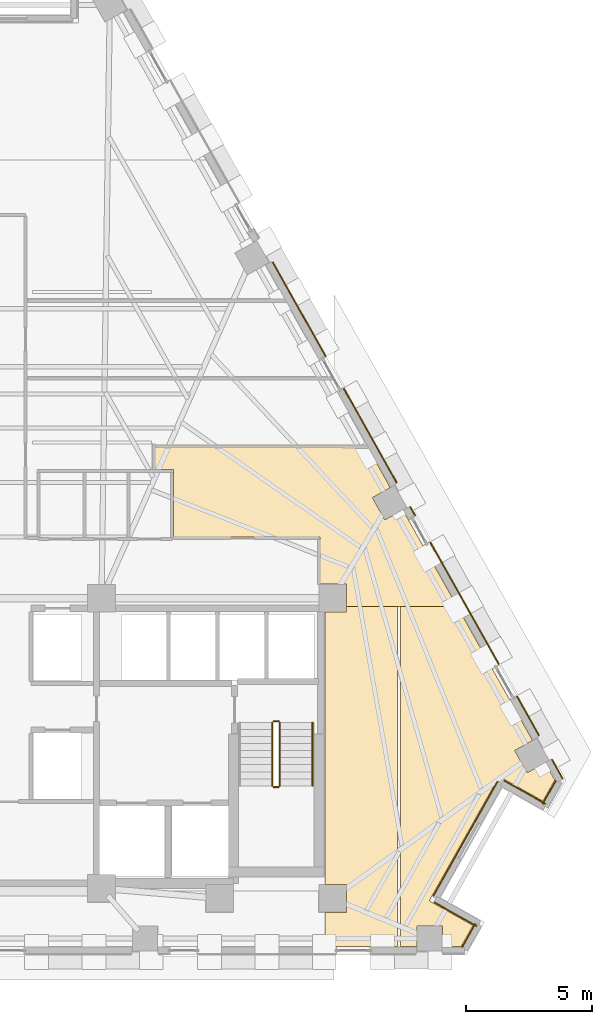
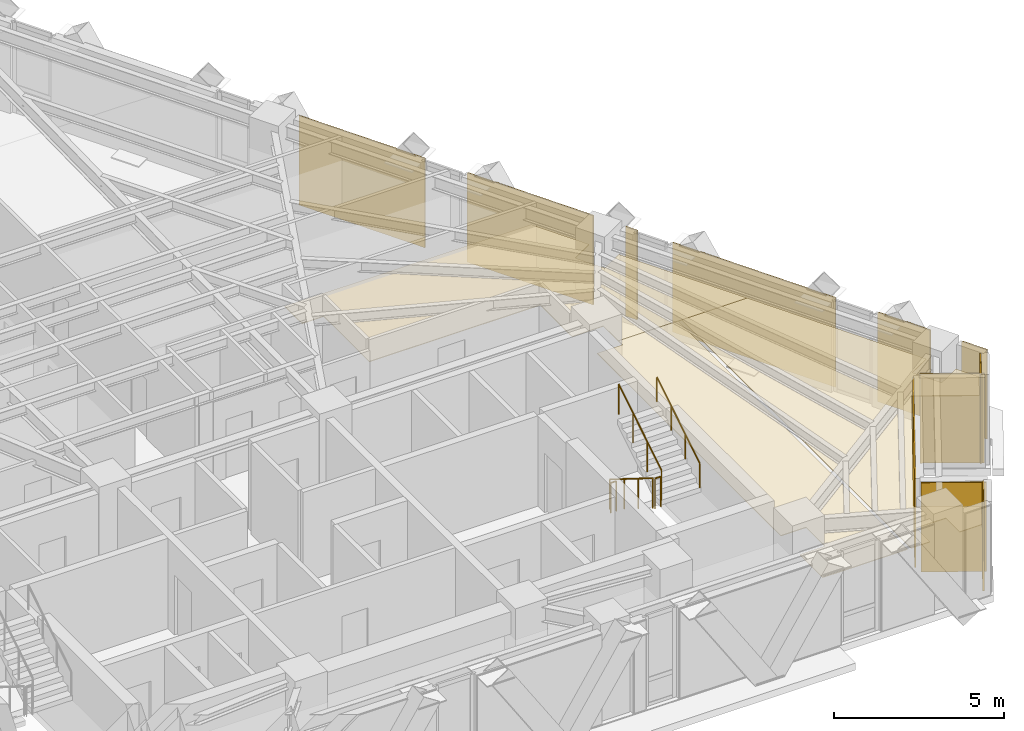
# One storey, part 12 of 13: 14 coverings, 5 railings.
"""IFC4 building model written with IfcOpenShell, lengths in metres."""

from ifc_helpers import new_model, si_unit, direction, frame, origin, origin_2d, place, context, subcontext, project, spatial, polyline, circle, outline, extrude, material, layer, layer_set, type_object, element, save


model = new_model("IFC4")

# Units and contexts
model_context = context("Model", 3, precision=1e-05, world=origin(), true_north=direction((0.0, 1.0)))
body_context = subcontext(model_context, "Body", "Model", "MODEL_VIEW")
ifc_project = project(units=[si_unit("LENGTHUNIT", "METRE"), si_unit("AREAUNIT", "SQUARE_METRE"), si_unit("VOLUMEUNIT", "CUBIC_METRE"), si_unit("PLANEANGLEUNIT", "RADIAN"), si_unit("MASSUNIT", "GRAM", prefix="KILO")], contexts=[model_context])

# Site, building, storey
site_placement = place(None, origin())
site = spatial("IfcSite", under=ifc_project, at=site_placement, CompositionType="ELEMENT")
building_placement = place(site_placement, origin())
building = spatial("IfcBuilding", under=site, at=building_placement, Name="Quenlor Broadcast Tower", CompositionType="ELEMENT")
storey_placement = place(building_placement, frame((0.0, 0.0, 130.0)))
storey = spatial("IfcBuildingStorey", under=building, at=storey_placement, Name="L35", CompositionType="ELEMENT", Elevation=130.0)

# Coverings
ifc_material_1 = material(Name="Acoustic Mineral Fibre Board", Category="other")
ifc_layer_1 = layer(ifc_material_1, 0.02490234375)
ifc_layer_set_1 = layer_set([ifc_layer_1], Name="Acoustic Perforated Mineral Tile Ceiling 25")
covering_type_1 = type_object("IfcCoveringType", Name="Acoustic Perforated Mineral Tile Ceiling 25", PredefinedType="CEILING", material=ifc_layer_set_1)
covering_1_placement = place(storey_placement, frame((0.0, 0.0, 2.375)))
element("IfcCovering", 1, at=covering_1_placement, inside=storey, type_object=covering_type_1, Name="L35 Acoustic Ceiling L35-35", PredefinedType="CEILING", context=body_context, shape_type="SweptSolid", body=[
    extrude(outline(polyline([(13.508056640625, -4.241943359375), (12.43994140625, -4.241943359375), (12.43994140625, -2.3701171875), (6.6201171875, -2.3701171875), (6.6201171875, 0.320068359375), (5.8798828125, 0.320068359375), (5.8798828125, 1.340087890625), (14.268798828125, 1.340087890625), (15.2451171875, -0.39599609375), (14.5322265625, -0.797119140625), (15.0302734375, -1.6826171875), (15.7431640625, -1.281494140625), (17.90234375, -5.1201171875), (15.659912109375, -5.1201171875), (15.5400390625, -5.1201171875), (13.508056640625, -5.1201171875), (13.508056640625, -4.241943359375)])), origin(), (0.0, 0.0, 1.0), 0.02490234375),
])
covering_2_placement = place(storey_placement, frame((0.0, 0.0, 2.375)))
element("IfcCovering", 2, at=covering_2_placement, inside=storey, type_object=covering_type_1, Name="L35 Acoustic Ceiling L35-35-2", PredefinedType="CEILING", context=body_context, shape_type="SweptSolid", body=[
    extrude(outline(polyline([(13.508056640625, -5.1201171875), (15.5400390625, -5.1201171875), (15.5400390625, -18.659912109375), (12.64990234375, -18.659912109375), (12.64990234375, -17.30810546875), (13.508056640625, -17.30810546875), (13.508056640625, -16.19189453125), (12.64990234375, -16.19189453125), (12.64990234375, -5.35791015625), (13.508056640625, -5.35791015625), (13.508056640625, -5.1201171875)])), origin(), (0.0, 0.0, 1.0), 0.02490234375),
])
covering_3_placement = place(storey_placement, frame((0.0, 0.0, 2.375)))
element("IfcCovering", 3, at=covering_3_placement, inside=storey, type_object=covering_type_1, Name="L35 Acoustic Ceiling L35-35-3", PredefinedType="CEILING", context=body_context, shape_type="SweptSolid", body=[
    extrude(outline(polyline([(20.90869140625, -10.46484375), (20.19580078125, -10.86572265625), (20.694091796875, -11.751220703125), (21.406982421875, -11.350341796875), (21.794921875, -12.0400390625), (21.323486328125, -12.878173828125), (19.580322265625, -11.8974609375), (16.795654296875, -16.847900390625), (18.538818359375, -17.82861328125), (18.071044921875, -18.659912109375), (17.31640625, -18.659912109375), (17.31640625, -17.842041015625), (16.30029296875, -17.842041015625), (16.30029296875, -18.659912109375), (15.659912109375, -18.659912109375), (15.659912109375, -5.1201171875), (17.90234375, -5.1201171875), (20.90869140625, -10.46484375)])), origin(), (0.0, 0.0, 1.0), 0.02490234375),
])
ifc_material_2 = material(Name="Architectural Terracotta Ceramic", Category="masonry")
ifc_layer_2 = layer(ifc_material_2, 0.044921875)
ifc_layer_set_2 = layer_set([ifc_layer_2], Name="Fluted Terracotta Rainscreen Cladding Panel")
covering_type_2 = type_object("IfcCoveringType", Name="Fluted Terracotta Rainscreen Cladding Panel", PredefinedType="CLADDING", material=ifc_layer_set_2)
covering_4_placement = place(storey_placement, frame((0.0, 0.0, 0.02001953125)))
element("IfcCovering", 4, at=covering_4_placement, inside=storey, type_object=covering_type_2, Name="L35 Terracotta Rainscreen Cladding L35-SHD-NES1", PredefinedType="CLADDING", context=body_context, shape_type="SweptSolid", body=[
    extrude(outline(polyline([(21.66162109375, -11.23779296875), (22.0859375, -11.992431640625), (22.125244140625, -11.970458984375), (21.70068359375, -11.2158203125), (21.66162109375, -11.23779296875)])), origin(), (0.0, 0.0, 1.0), 3.2099609375),
])
covering_5_placement = place(storey_placement, frame((0.0, 0.0, 0.02001953125)))
element("IfcCovering", 5, at=covering_5_placement, inside=storey, type_object=covering_type_2, Name="L35 Terracotta Rainscreen Cladding L35-NEC-SP1", PredefinedType="CLADDING", context=body_context, shape_type="SweptSolid", body=[
    extrude(outline(polyline([(16.025146484375, -1.1767578125), (16.22119140625, -1.525390625), (16.260498046875, -1.50341796875), (16.064453125, -1.15478515625), (16.025146484375, -1.1767578125)])), origin(), (0.0, 0.0, 1.0), 3.2099609375),
])
covering_6_placement = place(storey_placement, frame((0.0, 0.0, 0.02001953125)))
element("IfcCovering", 6, at=covering_6_placement, inside=storey, type_object=covering_type_2, Name="L35 Terracotta Rainscreen Cladding L35-NEC-SP2", PredefinedType="CLADDING", context=body_context, shape_type="SweptSolid", body=[
    extrude(outline(polyline([(16.81591796875, -2.582763671875), (19.55322265625, -7.44921875), (19.592529296875, -7.42724609375), (16.855224609375, -2.560791015625), (16.81591796875, -2.582763671875)])), origin(), (0.0, 0.0, 1.0), 3.2099609375),
])
covering_7_placement = place(storey_placement, frame((0.0, 0.0, 0.02001953125)))
element("IfcCovering", 7, at=covering_7_placement, inside=storey, type_object=covering_type_2, Name="L35 Terracotta Rainscreen Cladding L35-NEC-SP3", PredefinedType="CLADDING", context=body_context, shape_type="SweptSolid", body=[
    extrude(outline(polyline([(20.26416015625, -8.712646484375), (21.14453125, -10.278076171875), (21.183837890625, -10.256103515625), (20.30322265625, -8.690673828125), (20.26416015625, -8.712646484375)])), origin(), (0.0, 0.0, 1.0), 3.2099609375),
])
covering_8_placement = place(storey_placement, frame((0.0, 0.0, 0.02001953125)))
element("IfcCovering", 8, at=covering_8_placement, inside=storey, type_object=covering_type_2, Name="L35 Terracotta Rainscreen Cladding L35-NE-SP1", PredefinedType="CLADDING", context=body_context, shape_type="SweptSolid", body=[
    extrude(outline(polyline([(10.541748046875, 8.571533203125), (12.656982421875, 4.810791015625), (12.6962890625, 4.832763671875), (10.580810546875, 8.593505859375), (10.541748046875, 8.571533203125)])), origin(), (0.0, 0.0, 1.0), 3.2099609375),
])
covering_9_placement = place(storey_placement, frame((0.0, 0.0, 0.02001953125)))
element("IfcCovering", 9, at=covering_9_placement, inside=storey, type_object=covering_type_2, Name="L35 Terracotta Rainscreen Cladding L35-NE-SP2", PredefinedType="CLADDING", context=body_context, shape_type="SweptSolid", body=[
    extrude(outline(polyline([(13.367919921875, 3.547119140625), (15.4833984375, -0.213623046875), (15.522705078125, -0.191650390625), (13.4072265625, 3.569091796875), (13.367919921875, 3.547119140625)])), origin(), (0.0, 0.0, 1.0), 3.2099609375),
])
covering_10_placement = place(storey_placement, frame((0.0, 0.0, 0.02001953125)))
element("IfcCovering", 10, at=covering_10_placement, inside=storey, type_object=covering_type_2, Name="L35 Terracotta Rainscreen Cladding L35-CNR-01", PredefinedType="CLADDING", context=body_context, shape_type="SweptSolid", body=[
    extrude(outline(polyline([(18.702880859375, -17.8427734375), (17.011962890625, -16.8916015625), (16.989990234375, -16.930908203125), (18.680908203125, -17.882080078125), (18.702880859375, -17.8427734375)])), origin(), (0.0, 0.0, 1.0), 3.2099609375),
])
covering_11_placement = place(storey_placement, frame((0.0, 0.0, 0.02001953125)))
element("IfcCovering", 11, at=covering_11_placement, inside=storey, type_object=covering_type_2, Name="L35 Terracotta Rainscreen Cladding L35-CNR-02", PredefinedType="CLADDING", context=body_context, shape_type="SweptSolid", body=[
    extrude(outline(polyline([(16.9775390625, -16.663330078125), (19.53662109375, -12.11376953125), (19.49755859375, -12.091796875), (16.938232421875, -16.641357421875), (16.9775390625, -16.663330078125)])), origin(), (0.0, 0.0, 1.0), 3.2099609375),
])
covering_12_placement = place(storey_placement, frame((0.0, 0.0, 0.02001953125)))
element("IfcCovering", 12, at=covering_12_placement, inside=storey, type_object=covering_type_2, Name="L35 Terracotta Rainscreen Cladding L35-CNR-03", PredefinedType="CLADDING", context=body_context, shape_type="SweptSolid", body=[
    extrude(outline(polyline([(19.764892578125, -12.079345703125), (21.4208984375, -13.010986328125), (21.443115234375, -12.9716796875), (19.787109375, -12.0400390625), (19.764892578125, -12.079345703125)])), origin(), (0.0, 0.0, 1.0), 3.2099609375),
])
covering_13_placement = place(storey_placement, frame((0.0, 0.0, 0.02001953125)))
element("IfcCovering", 13, at=covering_13_placement, inside=storey, type_object=covering_type_2, Name="L35 Terracotta Rainscreen Cladding L35-CNR-04", PredefinedType="CLADDING", context=body_context, shape_type="SweptSolid", body=[
    extrude(outline(polyline([(21.328857421875, -13.007080078125), (21.859619140625, -12.0634765625), (21.820556640625, -12.04150390625), (21.289794921875, -12.985107421875), (21.328857421875, -13.007080078125)])), origin(), (0.0, 0.0, 1.0), 3.2099609375),
])
covering_14_placement = place(storey_placement, frame((0.0, 0.0, 0.02001953125)))
element("IfcCovering", 14, at=covering_14_placement, inside=storey, type_object=covering_type_2, Name="L35 Terracotta Rainscreen Cladding L35-CNR-18", PredefinedType="CLADDING", context=body_context, shape_type="SweptSolid", body=[
    extrude(outline(polyline([(18.122802734375, -18.70654296875), (18.652099609375, -17.76611328125), (18.61279296875, -17.743896484375), (18.083740234375, -18.6845703125), (18.122802734375, -18.70654296875)])), origin(), (0.0, 0.0, 1.0), 3.2099609375),
])

# Railings
ifc_material_3 = material(Name="Anodised Aluminium", Category="aluminium")
railing_type_1 = type_object("IfcRailingType", Name="Stainless Aluminium Wall Handrail 900", PredefinedType="HANDRAIL", material=ifc_material_3)
railing_1_placement = place(storey_placement, frame((12.14990234375, -12.27001953125, 1.925048828125)))
element("IfcRailing", 15, at=railing_1_placement, inside=storey, type_object=railing_type_1, Name="L35 ST-2 stair handrail 2", PredefinedType="HANDRAIL", context=body_context, shape_type="SweptSolid", body=[
    extrude(circle(Radius=0.02392578125, at=origin_2d()), frame((0.0, 0.0, 0.8759765625), z_axis=(0.0, 0.848007534815, 0.529984170421), x_axis=(-1.0, 0.0, 0.0)), (0.0, 0.0, 1.0), 2.9716796875),
    extrude(circle(Radius=0.02099609375, at=origin_2d()), origin(), (0.0, 0.0, 1.0), 0.851806640625),
    extrude(circle(Radius=0.02099609375, at=origin_2d()), frame((0.0, 0.840087890625, 0.52490234375)), (0.0, 0.0, 1.0), 0.851806640625),
    extrude(circle(Radius=0.02099609375, at=origin_2d()), frame((0.0, 1.679931640625, 1.050048828125)), (0.0, 0.0, 1.0), 0.851806640625),
    extrude(circle(Radius=0.02099609375, at=origin_2d()), frame((0.0, 2.52001953125, 1.574951171875)), (0.0, 0.0, 1.0), 0.851806640625),
])
ifc_material_4 = material(Name="Steel S355", Category="steel")
railing_type_2 = type_object("IfcRailingType", Name="Tubular Steel S355 Stair Guardrail 1100", PredefinedType="BALUSTRADE", material=ifc_material_4)
railing_2_placement = place(storey_placement, frame((10.550048828125, -9.75, 0.175048828125)))
element("IfcRailing", 16, at=railing_2_placement, inside=storey, type_object=railing_type_2, Name="L35 ST-2 stair guard 1", PredefinedType="BALUSTRADE", context=body_context, shape_type="SweptSolid", body=[
    extrude(circle(Radius=0.02392578125, at=origin_2d()), frame((0.0, 0.0, 1.076171875), z_axis=(0.0, -0.848007534815, 0.529984170421), x_axis=(1.0, 0.0, 0.0)), (0.0, 0.0, 1.0), 2.9716796875),
    extrude(circle(Radius=0.02099609375, at=origin_2d()), origin(), (0.0, 0.0, 1.0), 1.052001953125),
    extrude(circle(Radius=0.02099609375, at=origin_2d()), frame((0.0, -0.840087890625, 0.52490234375)), (0.0, 0.0, 1.0), 1.052001953125),
    extrude(circle(Radius=0.02099609375, at=origin_2d()), frame((0.0, -1.679931640625, 1.050048828125)), (0.0, 0.0, 1.0), 1.052001953125),
    extrude(circle(Radius=0.02099609375, at=origin_2d()), frame((0.0, -2.52001953125, 1.574951171875)), (0.0, 0.0, 1.0), 1.052001953125),
])
railing_3_placement = place(storey_placement, frame((10.60009765625, -12.320068359375, 1.75)))
element("IfcRailing", 17, at=railing_3_placement, inside=storey, type_object=railing_type_2, Name="L35 ST-2 stair guard 2", PredefinedType="BALUSTRADE", context=body_context, shape_type="SweptSolid", body=[
    extrude(circle(Radius=0.02392578125, at=origin_2d()), frame((0.0, 0.0, 1.076171875), z_axis=(1.0, 0.0, 0.0), x_axis=(0.0, 1.0, 0.0)), (0.0, 0.0, 1.0), 0.199951171875),
    extrude(circle(Radius=0.02099609375, at=origin_2d()), origin(), (0.0, 0.0, 1.0), 1.052001953125),
    extrude(circle(Radius=0.02099609375, at=origin_2d()), frame((0.199951171875, 0.0, 0.0)), (0.0, 0.0, 1.0), 1.052001953125),
])
railing_4_placement = place(storey_placement, frame((10.85009765625, -12.27001953125, 1.925048828125)))
element("IfcRailing", 18, at=railing_4_placement, inside=storey, type_object=railing_type_2, Name="L35 ST-2 stair guard 3", PredefinedType="BALUSTRADE", context=body_context, shape_type="SweptSolid", body=[
    extrude(circle(Radius=0.02392578125, at=origin_2d()), frame((0.0, 0.0, 1.076171875), z_axis=(0.0, 0.848007534815, 0.529984170421), x_axis=(-1.0, 0.0, 0.0)), (0.0, 0.0, 1.0), 2.9716796875),
    extrude(circle(Radius=0.02099609375, at=origin_2d()), origin(), (0.0, 0.0, 1.0), 1.052001953125),
    extrude(circle(Radius=0.02099609375, at=origin_2d()), frame((0.0, 0.840087890625, 0.52490234375)), (0.0, 0.0, 1.0), 1.052001953125),
    extrude(circle(Radius=0.02099609375, at=origin_2d()), frame((0.0, 1.679931640625, 1.050048828125)), (0.0, 0.0, 1.0), 1.052001953125),
    extrude(circle(Radius=0.02099609375, at=origin_2d()), frame((0.0, 2.52001953125, 1.574951171875)), (0.0, 0.0, 1.0), 1.052001953125),
])
railing_5_placement = place(storey_placement, frame((10.60009765625, -9.699951171875, 0.0)))
element("IfcRailing", 19, at=railing_5_placement, inside=storey, type_object=railing_type_2, Name="L35 ST-2 stair guard 4", PredefinedType="BALUSTRADE", context=body_context, shape_type="SweptSolid", body=[
    extrude(circle(Radius=0.02392578125, at=origin_2d()), frame((0.0, 0.0, 1.076171875), z_axis=(1.0, 0.0, 0.0), x_axis=(0.0, 1.0, 0.0)), (0.0, 0.0, 1.0), 0.199951171875),
    extrude(circle(Radius=0.02099609375, at=origin_2d()), origin(), (0.0, 0.0, 1.0), 1.052001953125),
    extrude(circle(Radius=0.02099609375, at=origin_2d()), frame((0.199951171875, 0.0, 0.0)), (0.0, 0.0, 1.0), 1.052001953125),
])

save(model, "model.ifc")
